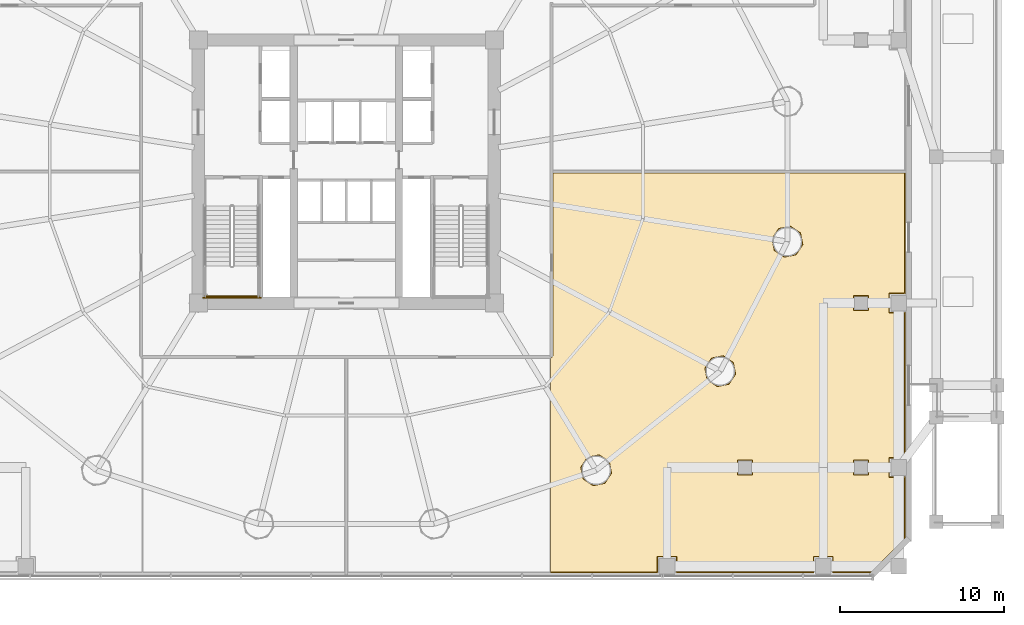
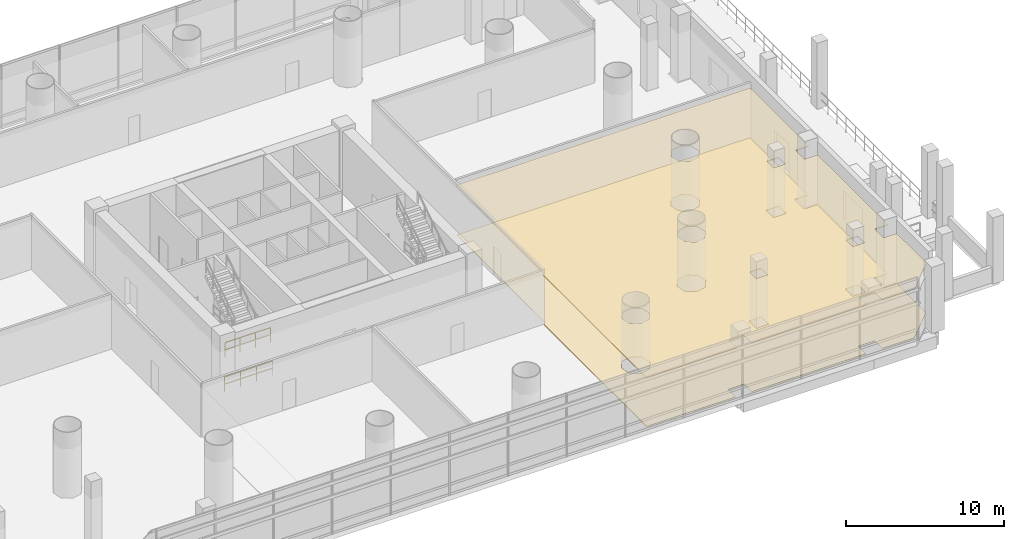
# One storey, part 28 of 31: 2 coverings, 2 railings.
"""IFC4 building model written with IfcOpenShell, lengths in metres."""

from ifc_helpers import new_model, si_unit, direction, frame, origin, origin_2d, place, context, subcontext, project, spatial, polyline, rectangle, outline, extrude, material, layer, layer_set, type_object, element, save


model = new_model("IFC4")

# Units and contexts
model_context = context("Model", 3, precision=1e-05, world=origin(), true_north=direction((-0.2419218956, 0.970295726276)))
body_context = subcontext(model_context, "Body", "Model", "MODEL_VIEW")
ifc_project = project(units=[si_unit("LENGTHUNIT", "METRE"), si_unit("AREAUNIT", "SQUARE_METRE"), si_unit("VOLUMEUNIT", "CUBIC_METRE"), si_unit("PLANEANGLEUNIT", "RADIAN"), si_unit("MASSUNIT", "GRAM", prefix="KILO")], contexts=[model_context])

# Site, building, storey
site_placement = place(None, origin())
site = spatial("IfcSite", under=ifc_project, at=site_placement, CompositionType="ELEMENT")
building_placement = place(site_placement, origin())
building = spatial("IfcBuilding", under=site, at=building_placement, Name="Cobrevalo Terracotta Tower", CompositionType="ELEMENT")
storey_placement = place(building_placement, frame((0.0, 0.0, 18.89990234375)))
storey = spatial("IfcBuildingStorey", under=building, at=storey_placement, Name="L04", CompositionType="ELEMENT", Elevation=18.89990234375)

# Coverings
ifc_material_1 = material(Name="Honed terracotta and granite tile", Category="masonry")
ifc_layer_1 = layer(ifc_material_1, 0.034912109375)
ifc_layer_set_1 = layer_set([ifc_layer_1], Name="Honed terracotta and granite tile")
covering_type_1 = type_object("IfcCoveringType", Name="Honed Terracotta & Granite Interior Flooring 35", PredefinedType="FLOORING", material=ifc_layer_set_1)
covering_1_placement = place(storey_placement, origin())
element("IfcCovering", 1, at=covering_1_placement, inside=storey, type_object=covering_type_1, Name="L04 Garden Tea Pavilion floor finish", PredefinedType="FLOORING", context=body_context, shape_type="SweptSolid", body=[
    extrude(outline(polyline([(69.921630859375, 2.43994140625), (67.60009765625, 2.43994140625), (67.60009765625, 3.39990234375), (66.39990234375, 3.39990234375), (66.39990234375, 2.43994140625), (58.10009765625, 2.43994140625), (58.10009765625, 3.39990234375), (56.89990234375, 3.39990234375), (56.89990234375, 2.43994140625), (50.419921875, 2.43994140625), (50.419921875, 15.423583984375), (50.580078125, 15.59814453125), (50.580078125, 26.699951171875), (71.9599609375, 26.699951171875), (71.9599609375, 19.39990234375), (71.0, 19.39990234375), (71.0, 18.199951171875), (71.9599609375, 18.199951171875), (71.9599609375, 9.39990234375), (71.0, 9.39990234375), (71.0, 8.199951171875), (71.9599609375, 8.199951171875), (71.9599609375, 4.478271484375), (69.921630859375, 2.43994140625)]), holes=[polyline([(68.840087890625, 8.340087890625), (69.760009765625, 8.340087890625), (69.760009765625, 9.260009765625), (68.840087890625, 9.260009765625), (68.840087890625, 8.340087890625)]), polyline([(68.840087890625, 19.260009765625), (68.840087890625, 18.340087890625), (69.760009765625, 18.340087890625), (69.760009765625, 19.260009765625), (68.840087890625, 19.260009765625)]), polyline([(65.35791015625, 21.739013671875), (65.76611328125, 22.349853515625), (65.622802734375, 23.07080078125), (65.01171875, 23.47900390625), (64.291015625, 23.33544921875), (63.8828125, 22.724609375), (64.026123046875, 22.00390625), (64.63720703125, 21.595703125), (65.35791015625, 21.739013671875)]), polyline([(61.7900390625, 9.260009765625), (61.7900390625, 8.340087890625), (62.7099609375, 8.340087890625), (62.7099609375, 9.260009765625), (61.7900390625, 9.260009765625)]), polyline([(61.274169921875, 13.862548828125), (61.682373046875, 14.473388671875), (61.5390625, 15.194091796875), (60.927978515625, 15.6025390625), (60.207275390625, 15.458984375), (59.799072265625, 14.84814453125), (59.9423828125, 14.12744140625), (60.553466796875, 13.71923828125), (61.274169921875, 13.862548828125)]), polyline([(53.728271484375, 7.833984375), (54.136474609375, 8.445068359375), (53.9931640625, 9.165771484375), (53.382080078125, 9.573974609375), (52.661376953125, 9.4306640625), (52.253173828125, 8.819580078125), (52.396484375, 8.098876953125), (53.007568359375, 7.690673828125), (53.728271484375, 7.833984375)])]), origin(), (0.0, 0.0, 1.0), 0.030029296875),
])
ifc_material_2 = material(Name="Acoustic perforated gypsum ceiling", Category="gypsum")
ifc_layer_2 = layer(ifc_material_2, 0.050048828125)
ifc_layer_set_2 = layer_set([ifc_layer_2], Name="Acoustic perforated gypsum ceiling")
covering_type_2 = type_object("IfcCoveringType", Name="Perforated Acoustic Gypsum Ceiling 50", PredefinedType="CEILING", material=ifc_layer_set_2)
covering_2_placement = place(storey_placement, frame((0.0, 0.0, 3.780029296875)))
element("IfcCovering", 2, at=covering_2_placement, inside=storey, type_object=covering_type_2, Name="L04 Garden Tea Pavilion acoustic ceiling", PredefinedType="CEILING", context=body_context, shape_type="SweptSolid", body=[
    extrude(outline(polyline([(69.9404296875, 2.39501953125), (67.554931640625, 2.39501953125), (67.554931640625, 3.35498046875), (66.445068359375, 3.35498046875), (66.445068359375, 2.39501953125), (58.054931640625, 2.39501953125), (58.054931640625, 3.35498046875), (56.945068359375, 3.35498046875), (56.945068359375, 2.39501953125), (50.375, 2.39501953125), (50.375, 15.46044921875), (50.534912109375, 15.6025390625), (50.534912109375, 26.7451171875), (72.0048828125, 26.7451171875), (72.0048828125, 19.35498046875), (71.044921875, 19.35498046875), (71.044921875, 18.2451171875), (72.0048828125, 18.2451171875), (72.0048828125, 9.35498046875), (71.044921875, 9.35498046875), (71.044921875, 8.2451171875), (72.0048828125, 8.2451171875), (72.0048828125, 4.459716796875), (69.9404296875, 2.39501953125)]), holes=[polyline([(68.885009765625, 8.385009765625), (69.715087890625, 8.385009765625), (69.715087890625, 9.215087890625), (68.885009765625, 9.215087890625), (68.885009765625, 8.385009765625)]), polyline([(68.885009765625, 19.215087890625), (68.885009765625, 18.385009765625), (69.715087890625, 18.385009765625), (69.715087890625, 19.215087890625), (68.885009765625, 19.215087890625)]), polyline([(65.332763671875, 21.776611328125), (65.7216796875, 22.35888671875), (65.585205078125, 23.045654296875), (65.0029296875, 23.4345703125), (64.316162109375, 23.2978515625), (63.92724609375, 22.7158203125), (64.063720703125, 22.029052734375), (64.64599609375, 21.639892578125), (65.332763671875, 21.776611328125)]), polyline([(61.8349609375, 9.215087890625), (61.8349609375, 8.385009765625), (62.6650390625, 8.385009765625), (62.6650390625, 9.215087890625), (61.8349609375, 9.215087890625)]), polyline([(61.2490234375, 13.900146484375), (61.637939453125, 14.482421875), (61.50146484375, 15.169189453125), (60.919189453125, 15.55810546875), (60.232421875, 15.42138671875), (59.843505859375, 14.83935546875), (59.97998046875, 14.152587890625), (60.562255859375, 13.763427734375), (61.2490234375, 13.900146484375)]), polyline([(53.703125, 7.87158203125), (54.092041015625, 8.453857421875), (53.95556640625, 9.140625), (53.373291015625, 9.52978515625), (52.6865234375, 9.39306640625), (52.297607421875, 8.810791015625), (52.43408203125, 8.1240234375), (53.016357421875, 7.735107421875), (53.703125, 7.87158203125)])]), origin(), (0.0, 0.0, 1.0), 0.050048828125),
])

# Railings
ifc_material_3 = material(Name="Painted galvanized steel", Category="steel")
railing_type = type_object("IfcRailingType", Name="Stair Well Guard Balustrade 1150", PredefinedType="GUARDRAIL", material=ifc_material_3)
railing_1_placement = place(storey_placement, frame((29.375, 19.22509765625, 2.550048828125)))
element("IfcRailing", 3, at=railing_1_placement, inside=storey, type_object=railing_type, Name="L04 ST-1 stair guard 5", PredefinedType="GUARDRAIL", context=body_context, shape_type="SweptSolid", body=[
    extrude(rectangle(XDim=0.048095703125, YDim=0.048095703125, at=origin_2d()), frame((0.0, 0.0, 1.1259765625), z_axis=(1.0, 0.0, 0.0), x_axis=(0.0, 1.0, 0.0)), (0.0, 0.0, 1.0), 3.320068359375),
    extrude(rectangle(XDim=0.048095703125, YDim=0.048095703125, at=origin_2d()), frame((0.0, 0.0, 0.574951171875), z_axis=(1.0, 0.0, 0.0), x_axis=(0.0, 1.0, 0.0)), (0.0, 0.0, 1.0), 3.320068359375),
    extrude(rectangle(XDim=0.0419921875, YDim=0.0419921875, at=origin_2d()), origin(), (0.0, 0.0, 1.0), 1.101806640625),
    extrude(rectangle(XDim=0.0419921875, YDim=0.0419921875, at=origin_2d()), frame((1.106689453125, 0.0, 0.0)), (0.0, 0.0, 1.0), 1.101806640625),
    extrude(rectangle(XDim=0.0419921875, YDim=0.0419921875, at=origin_2d()), frame((2.21337890625, 0.0, 0.0)), (0.0, 0.0, 1.0), 1.101806640625),
    extrude(rectangle(XDim=0.0419921875, YDim=0.0419921875, at=origin_2d()), frame((3.320068359375, 0.0, 0.0)), (0.0, 0.0, 1.0), 1.101806640625),
])
railing_2_placement = place(storey_placement, frame((29.27490234375, 19.125, 0.0)))
element("IfcRailing", 4, at=railing_2_placement, inside=storey, type_object=railing_type, Name="L04 ST-1 stair guard 12", PredefinedType="GUARDRAIL", context=body_context, shape_type="SweptSolid", body=[
    extrude(rectangle(XDim=0.048095703125, YDim=0.048095703125, at=origin_2d()), frame((0.0, 0.0, 1.1259765625), z_axis=(1.0, 0.0, 0.0), x_axis=(0.0, 1.0, 0.0)), (0.0, 0.0, 1.0), 3.52001953125),
    extrude(rectangle(XDim=0.048095703125, YDim=0.048095703125, at=origin_2d()), frame((0.0, 0.0, 0.574951171875), z_axis=(1.0, 0.0, 0.0), x_axis=(0.0, 1.0, 0.0)), (0.0, 0.0, 1.0), 3.52001953125),
    extrude(rectangle(XDim=0.0419921875, YDim=0.0419921875, at=origin_2d()), origin(), (0.0, 0.0, 1.0), 1.101806640625),
    extrude(rectangle(XDim=0.0419921875, YDim=0.0419921875, at=origin_2d()), frame((1.17333984375, 0.0, 0.0)), (0.0, 0.0, 1.0), 1.101806640625),
    extrude(rectangle(XDim=0.0419921875, YDim=0.0419921875, at=origin_2d()), frame((2.3466796875, 0.0, 0.0)), (0.0, 0.0, 1.0), 1.101806640625),
    extrude(rectangle(XDim=0.0419921875, YDim=0.0419921875, at=origin_2d()), frame((3.52001953125, 0.0, 0.0)), (0.0, 0.0, 1.0), 1.101806640625),
])

save(model, "model.ifc")
